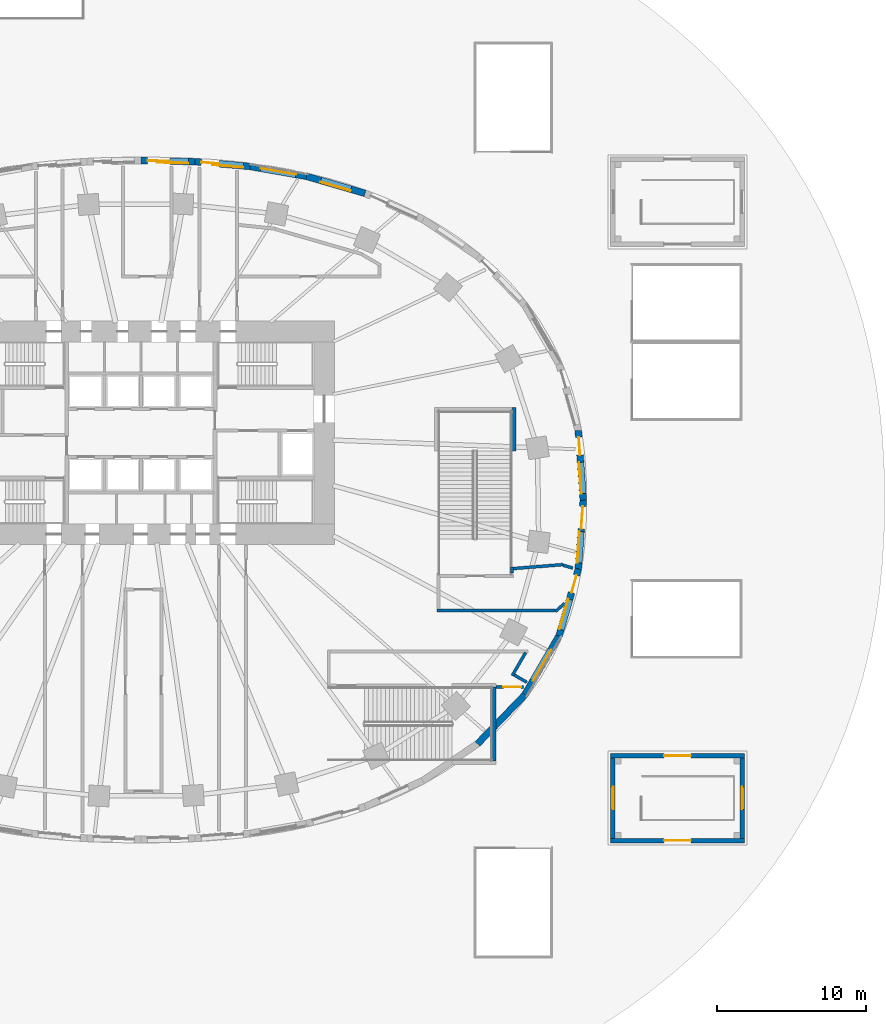
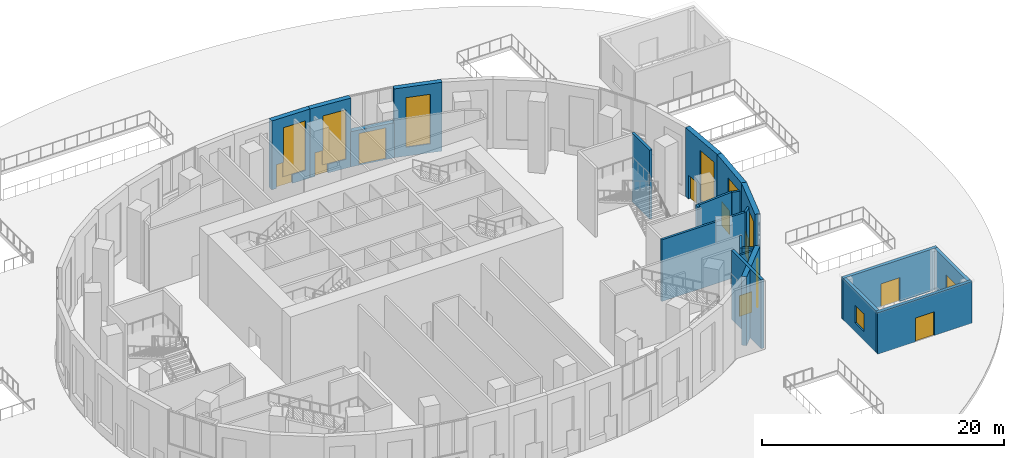
# One storey, part 16 of 27: 23 walls, 10 doors, 8 windows, 18 openings.
"""IFC4 building model written with IfcOpenShell, lengths in metres."""

from ifc_helpers import new_model, si_unit, direction, frame, frame_2d, origin, place, context, subcontext, project, spatial, rectangle, extrude, material, layer, layer_set, type_object, element, fill, save


model = new_model("IFC4")

# Units and contexts
model_context = context("Model", 3, precision=1e-05, world=origin(), true_north=direction((0.0, 1.0)))
body_context = subcontext(model_context, "Body", "Model", "MODEL_VIEW")
ifc_project = project(units=[si_unit("LENGTHUNIT", "METRE"), si_unit("AREAUNIT", "SQUARE_METRE"), si_unit("VOLUMEUNIT", "CUBIC_METRE"), si_unit("PLANEANGLEUNIT", "RADIAN"), si_unit("MASSUNIT", "GRAM", prefix="KILO")], contexts=[model_context])

# Site, building, storey
site_placement = place(None, origin())
site = spatial("IfcSite", under=ifc_project, at=site_placement, CompositionType="ELEMENT")
building_placement = place(site_placement, origin())
building = spatial("IfcBuilding", under=site, at=building_placement, Name="Rubra Terraces Tower", CompositionType="ELEMENT")
storey_placement = place(building_placement, origin())
storey = spatial("IfcBuildingStorey", under=building, at=storey_placement, Name="L00", CompositionType="ELEMENT", Elevation=0.0)

# Wall, openings, door, window
ifc_material_1 = material(Name="Brick masonry red-brown", Category="masonry")
ifc_layer_1 = layer(ifc_material_1, 0.449951171875)
ifc_layer_set_1 = layer_set([ifc_layer_1], Name="Brick masonry red-brown")
wall_type_1 = type_object("IfcWallType", Name="Brick facade wall 450", PredefinedType="SOLIDWALL", material=ifc_layer_set_1)
wall_1_placement = place(storey_placement, frame((29.675537109375, -0.01611328125, 0.0), z_axis=(0.0, 0.0, 1.0), x_axis=(-0.071775601577, 0.997420805387, 0.0)))
wall_1 = element("IfcWall", 1, at=wall_1_placement, inside=storey, type_object=wall_type_1, Name="Facade wall L00 bay 1", PredefinedType="SOLIDWALL", context=body_context, shape_type="SweptSolid", body=[
    extrude(rectangle(XDim=4.694091796875, YDim=0.449951171875, at=frame_2d((2.34716796875, 0.0))), origin(), (0.0, 0.0, 1.0), 6.949951171875),
])
opening_1_placement = place(wall_1_placement, frame((0.449951171875, 0.0, 0.89990234375)))
opening_1 = element("IfcOpeningElement", 2, at=opening_1_placement, cuts=wall_1, Name="Opening W2", PredefinedType="OPENING", context=body_context, shape_type="SweptSolid", body=[
    extrude(rectangle(XDim=2.10009765625, YDim=5.0, at=frame_2d((1.050048828125, 2.5))), frame((0.0, 0.23486328125, 0.0), z_axis=(0.0, -1.0, 0.0), x_axis=(1.0, 0.0, 0.0)), (0.0, 0.0, 1.0), 0.469970703125),
])
opening_2_placement = place(wall_1_placement, frame((3.044189453125, 0.0, 0.0)))
opening_2 = element("IfcOpeningElement", 3, at=opening_2_placement, cuts=wall_1, Name="Opening X2.01", PredefinedType="OPENING", context=body_context, shape_type="SweptSolid", body=[
    extrude(rectangle(XDim=1.199951171875, YDim=2.39990234375, at=frame_2d((0.60009765625, 1.199951171875))), frame((0.0, 0.23486328125, 0.0), z_axis=(0.0, -1.0, 0.0), x_axis=(1.0, 0.0, 0.0)), (0.0, 0.0, 1.0), 0.469970703125),
])
ifc_material_2 = material(Name="Glazed aluminium door leaf", Category="aluminium")
door_type_1 = type_object("IfcDoorType", Name="Exit door 1200 x 2400", OperationType="NOTDEFINED", PredefinedType="DOOR", material=ifc_material_2)
door_1_placement = place(opening_2_placement, frame((1.199951171875, 0.0, 0.0), z_axis=(0.0, 0.0, 1.0), x_axis=(-1.0, 0.0, 0.0)))
door_1 = element("IfcDoor", 4, at=door_1_placement, inside=storey, type_object=door_type_1, Name="Exit door 1", OperationType="SINGLE_SWING_LEFT", OverallHeight=2.39990234375, OverallWidth=1.199951171875, PredefinedType="DOOR", context=body_context, shape_type="SweptSolid", body=[
    extrude(rectangle(XDim=1.199951171875, YDim=2.39990234375, at=frame_2d((0.60009765625, 1.199951171875))), frame((0.0, 0.02490234375, 0.0), z_axis=(0.0, -1.0, 0.0), x_axis=(1.0, 0.0, 0.0)), (0.0, 0.0, 1.0), 0.050048828125),
])
fill(opening_2, door_1)
ifc_material_3 = material(Name="Clear glass in aluminium frame", Category="aluminium")
window_type_1 = type_object("IfcWindowType", Name="Ground storey fixed window 2100 x 5000", PartitioningType="SINGLE_PANEL", PredefinedType="WINDOW", material=ifc_material_3)
window_1_placement = place(opening_1_placement, origin())
window_1 = element("IfcWindow", 5, at=window_1_placement, inside=storey, type_object=window_type_1, Name="Window L00 bay 1", OverallHeight=5.0, OverallWidth=2.10009765625, PartitioningType="SINGLE_PANEL", PredefinedType="WINDOW", context=body_context, shape_type="SweptSolid", body=[
    extrude(rectangle(XDim=2.10009765625, YDim=5.0, at=frame_2d((1.050048828125, 2.5))), frame((0.0, 0.135009765625, 0.0), z_axis=(0.0, -1.0, 0.0), x_axis=(1.0, 0.0, 0.0)), (0.0, 0.0, 1.0), 0.06005859375),
])
fill(opening_1, window_1)

# Wall, opening, window
wall_2_placement = place(storey_placement, frame((15.0380859375, 20.569091796875, 0.0), z_axis=(0.0, 0.0, 1.0), x_axis=(-0.960186274122, 0.279360553743, 0.0)))
wall_2 = element("IfcWall", 6, at=wall_2_placement, inside=storey, type_object=wall_type_1, Name="Facade wall L00 bay 7", PredefinedType="SOLIDWALL", context=body_context, shape_type="SweptSolid", body=[
    extrude(rectangle(XDim=4.0908203125, YDim=0.449951171875, at=frame_2d((2.04541015625, 0.0))), origin(), (0.0, 0.0, 1.0), 6.949951171875),
])
opening_3_placement = place(wall_2_placement, frame((0.99560546875, 0.0, 0.89990234375)))
opening_3 = element("IfcOpeningElement", 7, at=opening_3_placement, cuts=wall_2, Name="Opening W2", PredefinedType="OPENING", context=body_context, shape_type="SweptSolid", body=[
    extrude(rectangle(XDim=2.10009765625, YDim=5.0, at=frame_2d((1.050048828125, 2.5))), frame((0.0, 0.23486328125, 0.0), z_axis=(0.0, -1.0, 0.0), x_axis=(1.0, 0.0, 0.0)), (0.0, 0.0, 1.0), 0.469970703125),
])
window_2_placement = place(opening_3_placement, origin())
window_2 = element("IfcWindow", 8, at=window_2_placement, inside=storey, type_object=window_type_1, Name="Window L00 bay 7", OverallHeight=5.0, OverallWidth=2.10009765625, PartitioningType="SINGLE_PANEL", PredefinedType="WINDOW", context=body_context, shape_type="SweptSolid", body=[
    extrude(rectangle(XDim=2.10009765625, YDim=5.0, at=frame_2d((1.050048828125, 2.5))), frame((0.0, 0.135009765625, 0.0), z_axis=(0.0, -1.0, 0.0), x_axis=(1.0, 0.0, 0.0)), (0.0, 0.0, 1.0), 0.06005859375),
])
fill(opening_3, window_2)

# Wall, openings, door, window
wall_3_placement = place(storey_placement, frame((7.323486328125, 22.375732421875, 0.0), z_axis=(0.0, 0.0, 1.0), x_axis=(-0.996259982326, 0.086406293838, 0.0)))
wall_3 = element("IfcWall", 9, at=wall_3_placement, inside=storey, type_object=wall_type_1, Name="Facade wall L00 bay 9", PredefinedType="SOLIDWALL", context=body_context, shape_type="SweptSolid", body=[
    extrude(rectangle(XDim=3.726806640625, YDim=0.449951171875, at=frame_2d((1.86328125, 0.0))), origin(), (0.0, 0.0, 1.0), 6.949951171875),
])
opening_4_placement = place(wall_3_placement, frame((0.449951171875, 0.0, 0.89990234375)))
opening_4 = element("IfcOpeningElement", 10, at=opening_4_placement, cuts=wall_3, Name="Opening W2", PredefinedType="OPENING", context=body_context, shape_type="SweptSolid", body=[
    extrude(rectangle(XDim=2.10009765625, YDim=5.0, at=frame_2d((1.050048828125, 2.5))), frame((0.0, 0.23486328125, 0.0), z_axis=(0.0, -1.0, 0.0), x_axis=(1.0, 0.0, 0.0)), (0.0, 0.0, 1.0), 0.469970703125),
])
opening_5_placement = place(wall_3_placement, frame((2.076904296875, 0.0, 0.0)))
opening_5 = element("IfcOpeningElement", 11, at=opening_5_placement, cuts=wall_3, Name="Opening X2.05", PredefinedType="OPENING", context=body_context, shape_type="SweptSolid", body=[
    extrude(rectangle(XDim=1.199951171875, YDim=2.39990234375, at=frame_2d((0.60009765625, 1.199951171875))), frame((0.0, 0.23486328125, 0.0), z_axis=(0.0, -1.0, 0.0), x_axis=(1.0, 0.0, 0.0)), (0.0, 0.0, 1.0), 0.469970703125),
])
door_2_placement = place(opening_5_placement, frame((1.199951171875, 0.0, 0.0), z_axis=(0.0, 0.0, 1.0), x_axis=(-1.0, 0.0, 0.0)))
door_2 = element("IfcDoor", 12, at=door_2_placement, inside=storey, type_object=door_type_1, Name="Exit door 5", OperationType="SINGLE_SWING_RIGHT", OverallHeight=2.39990234375, OverallWidth=1.199951171875, PredefinedType="DOOR", context=body_context, shape_type="SweptSolid", body=[
    extrude(rectangle(XDim=1.199951171875, YDim=2.39990234375, at=frame_2d((0.60009765625, 1.199951171875))), frame((0.0, 0.02490234375, 0.0), z_axis=(0.0, -1.0, 0.0), x_axis=(1.0, 0.0, 0.0)), (0.0, 0.0, 1.0), 0.050048828125),
])
fill(opening_5, door_2)
window_3_placement = place(opening_4_placement, origin())
window_3 = element("IfcWindow", 13, at=window_3_placement, inside=storey, type_object=window_type_1, Name="Window L00 bay 9", OverallHeight=5.0, OverallWidth=2.10009765625, PartitioningType="SINGLE_PANEL", PredefinedType="WINDOW", context=body_context, shape_type="SweptSolid", body=[
    extrude(rectangle(XDim=2.10009765625, YDim=5.0, at=frame_2d((1.050048828125, 2.5))), frame((0.0, 0.135009765625, 0.0), z_axis=(0.0, -1.0, 0.0), x_axis=(1.0, 0.0, 0.0)), (0.0, 0.0, 1.0), 0.06005859375),
])
fill(opening_4, window_3)

# Wall, openings, window, door
wall_4_placement = place(storey_placement, frame((3.625244140625, 22.697021484375, 0.0), z_axis=(0.0, 0.0, 1.0), x_axis=(-0.999769941673, 0.0214490962, 0.0)))
wall_4 = element("IfcWall", 14, at=wall_4_placement, inside=storey, type_object=wall_type_1, Name="Facade wall L00 bay 10", PredefinedType="SOLIDWALL", context=body_context, shape_type="SweptSolid", body=[
    extrude(rectangle(XDim=3.630859375, YDim=0.449951171875, at=frame_2d((1.8154296875, 0.0))), origin(), (0.0, 0.0, 1.0), 6.949951171875),
])
opening_6_placement = place(wall_4_placement, frame((0.449951171875, 0.0, 0.89990234375)))
opening_6 = element("IfcOpeningElement", 15, at=opening_6_placement, cuts=wall_4, Name="Opening W2", PredefinedType="OPENING", context=body_context, shape_type="SweptSolid", body=[
    extrude(rectangle(XDim=2.10009765625, YDim=5.0, at=frame_2d((1.050048828125, 2.5))), frame((0.0, 0.23486328125, 0.0), z_axis=(0.0, -1.0, 0.0), x_axis=(1.0, 0.0, 0.0)), (0.0, 0.0, 1.0), 0.469970703125),
])
opening_7_placement = place(wall_4_placement, frame((1.680908203125, 0.0, 0.0)))
opening_7 = element("IfcOpeningElement", 16, at=opening_7_placement, cuts=wall_4, Name="Opening X3.01", PredefinedType="OPENING", context=body_context, shape_type="SweptSolid", body=[
    extrude(rectangle(XDim=1.5, YDim=2.39990234375, at=frame_2d((0.75, 1.199951171875))), frame((0.0, 0.23486328125, 0.0), z_axis=(0.0, -1.0, 0.0), x_axis=(1.0, 0.0, 0.0)), (0.0, 0.0, 1.0), 0.469970703125),
])
window_4_placement = place(opening_6_placement, origin())
window_4 = element("IfcWindow", 17, at=window_4_placement, inside=storey, type_object=window_type_1, Name="Window L00 bay 10", OverallHeight=5.0, OverallWidth=2.10009765625, PartitioningType="SINGLE_PANEL", PredefinedType="WINDOW", context=body_context, shape_type="SweptSolid", body=[
    extrude(rectangle(XDim=2.10009765625, YDim=5.0, at=frame_2d((1.050048828125, 2.5))), frame((0.0, 0.135009765625, 0.0), z_axis=(0.0, -1.0, 0.0), x_axis=(1.0, 0.0, 0.0)), (0.0, 0.0, 1.0), 0.06005859375),
])
fill(opening_6, window_4)
door_type_2 = type_object("IfcDoorType", Name="Service door 1500 x 2400", OperationType="NOTDEFINED", PredefinedType="DOOR", material=ifc_material_2)
door_3_placement = place(opening_7_placement, frame((1.5, 0.0, 0.0), z_axis=(0.0, 0.0, 1.0), x_axis=(-1.0, 0.0, 0.0)))
door_3 = element("IfcDoor", 18, at=door_3_placement, inside=storey, type_object=door_type_2, Name="Service door 1", OperationType="SINGLE_SWING_RIGHT", OverallHeight=2.39990234375, OverallWidth=1.5, PredefinedType="DOOR", context=body_context, shape_type="SweptSolid", body=[
    extrude(rectangle(XDim=1.5, YDim=2.39990234375, at=frame_2d((0.75, 1.199951171875))), frame((0.0, 0.02490234375, 0.0), z_axis=(0.0, -1.0, 0.0), x_axis=(1.0, 0.0, 0.0)), (0.0, 0.0, 1.0), 0.050048828125),
])
fill(opening_7, door_3)

# Wall
wall_5_placement = place(storey_placement, frame((22.576904296875, -16.36474609375, 0.0), z_axis=(0.0, 0.0, 1.0), x_axis=(0.694191591241, 0.719790271294, 0.0)))
element("IfcWall", 19, at=wall_5_placement, inside=storey, type_object=wall_type_1, Name="Facade wall L00 bay 37", PredefinedType="SOLIDWALL", context=body_context, shape_type="SweptSolid", body=[
    extrude(rectangle(XDim=4.596923828125, YDim=0.449951171875, at=frame_2d((2.29833984375, 0.0))), origin(), (0.0, 0.0, 1.0), 6.949951171875),
])

# Wall, openings, door, window
wall_6_placement = place(storey_placement, frame((28.0517578125, -9.122802734375, 0.0), z_axis=(0.0, 0.0, 1.0), x_axis=(0.27637239746, 0.961050621935, 0.0)))
wall_6 = element("IfcWall", 20, at=wall_6_placement, inside=storey, type_object=wall_type_1, Name="Facade wall L00 bay 39", PredefinedType="SOLIDWALL", context=body_context, shape_type="SweptSolid", body=[
    extrude(rectangle(XDim=4.685302734375, YDim=0.449951171875, at=frame_2d((2.3427734375, 0.0))), origin(), (0.0, 0.0, 1.0), 6.949951171875),
])
opening_8_placement = place(wall_6_placement, frame((0.449951171875, 0.0, 0.89990234375)))
opening_8 = element("IfcOpeningElement", 21, at=opening_8_placement, cuts=wall_6, Name="Opening W2", PredefinedType="OPENING", context=body_context, shape_type="SweptSolid", body=[
    extrude(rectangle(XDim=2.10009765625, YDim=5.0, at=frame_2d((1.050048828125, 2.5))), frame((0.0, 0.23486328125, 0.0), z_axis=(0.0, -1.0, 0.0), x_axis=(1.0, 0.0, 0.0)), (0.0, 0.0, 1.0), 0.469970703125),
])
opening_9_placement = place(wall_6_placement, frame((3.035400390625, 0.0, 0.0)))
opening_9 = element("IfcOpeningElement", 22, at=opening_9_placement, cuts=wall_6, Name="Opening X2.19", PredefinedType="OPENING", context=body_context, shape_type="SweptSolid", body=[
    extrude(rectangle(XDim=1.199951171875, YDim=2.39990234375, at=frame_2d((0.60009765625, 1.199951171875))), frame((0.0, 0.23486328125, 0.0), z_axis=(0.0, -1.0, 0.0), x_axis=(1.0, 0.0, 0.0)), (0.0, 0.0, 1.0), 0.469970703125),
])
door_4_placement = place(opening_9_placement, frame((1.199951171875, 0.0, 0.0), z_axis=(0.0, 0.0, 1.0), x_axis=(-1.0, 0.0, 0.0)))
door_4 = element("IfcDoor", 23, at=door_4_placement, inside=storey, type_object=door_type_1, Name="Exit door 19", OperationType="SINGLE_SWING_RIGHT", OverallHeight=2.39990234375, OverallWidth=1.199951171875, PredefinedType="DOOR", context=body_context, shape_type="SweptSolid", body=[
    extrude(rectangle(XDim=1.199951171875, YDim=2.39990234375, at=frame_2d((0.60009765625, 1.199951171875))), frame((0.0, 0.02490234375, 0.0), z_axis=(0.0, -1.0, 0.0), x_axis=(1.0, 0.0, 0.0)), (0.0, 0.0, 1.0), 0.050048828125),
])
fill(opening_9, door_4)
window_5_placement = place(opening_8_placement, origin())
window_5 = element("IfcWindow", 24, at=window_5_placement, inside=storey, type_object=window_type_1, Name="Window L00 bay 39", OverallHeight=5.0, OverallWidth=2.10009765625, PartitioningType="SINGLE_PANEL", PredefinedType="WINDOW", context=body_context, shape_type="SweptSolid", body=[
    extrude(rectangle(XDim=2.10009765625, YDim=5.0, at=frame_2d((1.050048828125, 2.5))), frame((0.0, 0.135009765625, 0.0), z_axis=(0.0, -1.0, 0.0), x_axis=(1.0, 0.0, 0.0)), (0.0, 0.0, 1.0), 0.06005859375),
])
fill(opening_8, window_5)

# Wall, openings, window, door
wall_7_placement = place(storey_placement, frame((29.338623046875, -4.665771484375, 0.0), z_axis=(0.0, 0.0, 1.0), x_axis=(0.071775601577, 0.997420805387, 0.0)))
wall_7 = element("IfcWall", 25, at=wall_7_placement, inside=storey, type_object=wall_type_1, Name="Facade wall L00 bay 40", PredefinedType="SOLIDWALL", context=body_context, shape_type="SweptSolid", body=[
    extrude(rectangle(XDim=4.694091796875, YDim=0.449951171875, at=frame_2d((2.34716796875, 0.0))), origin(), (0.0, 0.0, 1.0), 6.949951171875),
])
opening_10_placement = place(wall_7_placement, frame((0.449951171875, 0.0, 0.89990234375)))
opening_10 = element("IfcOpeningElement", 26, at=opening_10_placement, cuts=wall_7, Name="Opening W2", PredefinedType="OPENING", context=body_context, shape_type="SweptSolid", body=[
    extrude(rectangle(XDim=2.10009765625, YDim=5.0, at=frame_2d((1.050048828125, 2.5))), frame((0.0, 0.23486328125, 0.0), z_axis=(0.0, -1.0, 0.0), x_axis=(1.0, 0.0, 0.0)), (0.0, 0.0, 1.0), 0.469970703125),
])
opening_11_placement = place(wall_7_placement, frame((2.744140625, 0.0, 0.0)))
opening_11 = element("IfcOpeningElement", 27, at=opening_11_placement, cuts=wall_7, Name="Opening X3.04", PredefinedType="OPENING", context=body_context, shape_type="SweptSolid", body=[
    extrude(rectangle(XDim=1.5, YDim=2.39990234375, at=frame_2d((0.75, 1.199951171875))), frame((0.0, 0.23486328125, 0.0), z_axis=(0.0, -1.0, 0.0), x_axis=(1.0, 0.0, 0.0)), (0.0, 0.0, 1.0), 0.469970703125),
])
window_6_placement = place(opening_10_placement, origin())
window_6 = element("IfcWindow", 28, at=window_6_placement, inside=storey, type_object=window_type_1, Name="Window L00 bay 40", OverallHeight=5.0, OverallWidth=2.10009765625, PartitioningType="SINGLE_PANEL", PredefinedType="WINDOW", context=body_context, shape_type="SweptSolid", body=[
    extrude(rectangle(XDim=2.10009765625, YDim=5.0, at=frame_2d((1.050048828125, 2.5))), frame((0.0, 0.135009765625, 0.0), z_axis=(0.0, -1.0, 0.0), x_axis=(1.0, 0.0, 0.0)), (0.0, 0.0, 1.0), 0.06005859375),
])
fill(opening_10, window_6)
door_5_placement = place(opening_11_placement, frame((1.5, 0.0, 0.0), z_axis=(0.0, 0.0, 1.0), x_axis=(-1.0, 0.0, 0.0)))
door_5 = element("IfcDoor", 29, at=door_5_placement, inside=storey, type_object=door_type_2, Name="Service door 4", OperationType="SINGLE_SWING_RIGHT", OverallHeight=2.39990234375, OverallWidth=1.5, PredefinedType="DOOR", context=body_context, shape_type="SweptSolid", body=[
    extrude(rectangle(XDim=1.5, YDim=2.39990234375, at=frame_2d((0.75, 1.199951171875))), frame((0.0, 0.02490234375, 0.0), z_axis=(0.0, -1.0, 0.0), x_axis=(1.0, 0.0, 0.0)), (0.0, 0.0, 1.0), 0.050048828125),
])
fill(opening_11, door_5)

# Wall, opening, door
ifc_layer_2 = layer(ifc_material_1, 0.449951171875)
ifc_layer_set_2 = layer_set([ifc_layer_2], Name="Brick masonry red-brown")
wall_type_2 = type_object("IfcWallType", Name="Brick wall under entrance screen 450", PredefinedType="SOLIDWALL", material=ifc_layer_set_2)
wall_8_placement = place(storey_placement, frame((11.134033203125, 21.706298828125, 0.0), z_axis=(0.0, 0.0, 1.0), x_axis=(-0.984947461591, 0.172853978566, 0.0)))
wall_8 = element("IfcWall", 30, at=wall_8_placement, inside=storey, type_object=wall_type_2, Name="Facade wall L00 bay 8", PredefinedType="SOLIDWALL", context=body_context, shape_type="SweptSolid", body=[
    extrude(rectangle(XDim=3.888427734375, YDim=0.449951171875, at=frame_2d((1.9443359375, 0.0))), origin(), (0.0, 0.0, 1.0), 3.550048828125),
])
opening_12_placement = place(wall_8_placement, frame((0.744384765625, 0.0, 0.0)))
opening_12 = element("IfcOpeningElement", 31, at=opening_12_placement, cuts=wall_8, Name="Opening X1.02", PredefinedType="OPENING", context=body_context, shape_type="SweptSolid", body=[
    extrude(rectangle(XDim=2.39990234375, YDim=3.199951171875, at=frame_2d((1.199951171875, 1.60009765625))), frame((0.0, 0.23486328125, 0.0), z_axis=(0.0, -1.0, 0.0), x_axis=(1.0, 0.0, 0.0)), (0.0, 0.0, 1.0), 0.469970703125),
])
door_type_3 = type_object("IfcDoorType", Name="Entrance double door 2400 x 3200", OperationType="DOUBLE_DOOR_DOUBLE_SWING", PredefinedType="DOOR", material=ifc_material_2)
door_6_placement = place(opening_12_placement, origin())
door_6 = element("IfcDoor", 32, at=door_6_placement, inside=storey, type_object=door_type_3, Name="Entrance double door 2", OperationType="DOUBLE_DOOR_DOUBLE_SWING", OverallHeight=3.199951171875, OverallWidth=2.39990234375, PredefinedType="DOOR", context=body_context, shape_type="SweptSolid", body=[
    extrude(rectangle(XDim=2.39990234375, YDim=3.199951171875, at=frame_2d((1.199951171875, 1.60009765625))), frame((0.0, 0.02490234375, 0.0), z_axis=(0.0, -1.0, 0.0), x_axis=(1.0, 0.0, 0.0)), (0.0, 0.0, 1.0), 0.050048828125),
])
fill(opening_12, door_6)

wall_9_placement = place(storey_placement, frame((25.7353515625, -13.09912109375, 0.0), z_axis=(0.0, 0.0, 1.0), x_axis=(0.502106426501, 0.864805837438, 0.0)))
wall_9 = element("IfcWall", 33, at=wall_9_placement, inside=storey, type_object=wall_type_2, Name="Facade wall L00 bay 38", PredefinedType="SOLIDWALL", context=body_context, shape_type="SweptSolid", body=[
    extrude(rectangle(XDim=4.65673828125, YDim=0.449951171875, at=frame_2d((2.328369140625, 0.0))), origin(), (0.0, 0.0, 1.0), 3.550048828125),
])
opening_13_placement = place(wall_9_placement, frame((1.128173828125, 0.0, 0.0)))
opening_13 = element("IfcOpeningElement", 34, at=opening_13_placement, cuts=wall_9, Name="Opening X1.08", PredefinedType="OPENING", context=body_context, shape_type="SweptSolid", body=[
    extrude(rectangle(XDim=2.39990234375, YDim=3.199951171875, at=frame_2d((1.199951171875, 1.60009765625))), frame((0.0, 0.23486328125, 0.0), z_axis=(0.0, -1.0, 0.0), x_axis=(1.0, 0.0, 0.0)), (0.0, 0.0, 1.0), 0.469970703125),
])
door_7_placement = place(opening_13_placement, origin())
door_7 = element("IfcDoor", 35, at=door_7_placement, inside=storey, type_object=door_type_3, Name="Entrance double door 8", OperationType="DOUBLE_DOOR_DOUBLE_SWING", OverallHeight=3.199951171875, OverallWidth=2.39990234375, PredefinedType="DOOR", context=body_context, shape_type="SweptSolid", body=[
    extrude(rectangle(XDim=2.39990234375, YDim=3.199951171875, at=frame_2d((1.199951171875, 1.60009765625))), frame((0.0, 0.02490234375, 0.0), z_axis=(0.0, -1.0, 0.0), x_axis=(1.0, 0.0, 0.0)), (0.0, 0.0, 1.0), 0.050048828125),
])
fill(opening_13, door_7)

# Walls
ifc_material_4 = material(Name="Blockwork", Category="masonry")
ifc_layer_3 = layer(ifc_material_4, 0.199951171875)
ifc_layer_set_3 = layer_set([ifc_layer_3], Name="Blockwork")
wall_type_3 = type_object("IfcWallType", Name="Corridor partition 200 blockwork", PredefinedType="PARTITIONING", material=ifc_layer_set_3)
wall_10_placement = place(storey_placement, frame((28.4189453125, -6.93896484375, 0.0), z_axis=(0.0, 0.0, 1.0), x_axis=(-0.747968781753, -0.663733908674, 0.0)))
element("IfcWall", 36, at=wall_10_placement, inside=storey, type_object=wall_type_3, Name="Partition wall", PredefinedType="PARTITIONING", context=body_context, shape_type="SweptSolid", body=[
    extrude(rectangle(XDim=0.794189453125, YDim=0.199951171875, at=frame_2d((0.39697265625, 0.0))), origin(), (0.0, 0.0, 1.0), 6.22998046875),
])
wall_11_placement = place(storey_placement, frame((27.800048828125, -7.39990234375, 0.0), z_axis=(0.0, 0.0, 1.0), x_axis=(-1.0, 0.0, 0.0)))
element("IfcWall", 37, at=wall_11_placement, inside=storey, type_object=wall_type_3, Name="Partition wall", PredefinedType="PARTITIONING", context=body_context, shape_type="SweptSolid", body=[
    extrude(rectangle(XDim=7.949951171875, YDim=0.199951171875, at=frame_2d((3.97509765625, 0.0))), origin(), (0.0, 0.0, 1.0), 6.22998046875),
])
wall_12_placement = place(storey_placement, frame((24.89990234375, -4.89990234375, 0.0), z_axis=(0.0, 0.0, 1.0), x_axis=(0.0, 1.0, 0.0)))
element("IfcWall", 38, at=wall_12_placement, inside=storey, type_object=wall_type_3, Name="Partition wall", PredefinedType="PARTITIONING", context=body_context, shape_type="SweptSolid", body=[
    extrude(rectangle(XDim=0.393798828125, YDim=0.199951171875, at=frame_2d((0.19677734375, 0.0))), origin(), (0.0, 0.0, 1.0), 6.22998046875),
])
wall_13_placement = place(storey_placement, frame((25.0, -4.597900390625, 0.0), z_axis=(0.0, 0.0, 1.0), x_axis=(0.996848217345, 0.079332411888, 0.0)))
element("IfcWall", 39, at=wall_13_placement, inside=storey, type_object=wall_type_3, Name="Partition wall", PredefinedType="PARTITIONING", context=body_context, shape_type="SweptSolid", body=[
    extrude(rectangle(XDim=3.314453125, YDim=0.199951171875, at=frame_2d((1.6572265625, 0.0))), origin(), (0.0, 0.0, 1.0), 6.22998046875),
])
wall_14_placement = place(storey_placement, frame((28.300048828125, -4.37109375, 0.0), z_axis=(0.0, 0.0, 1.0), x_axis=(0.961286670839, -0.275550243092, 0.0)))
element("IfcWall", 40, at=wall_14_placement, inside=storey, type_object=wall_type_3, Name="Partition wall", PredefinedType="PARTITIONING", context=body_context, shape_type="SweptSolid", body=[
    extrude(rectangle(XDim=0.699951171875, YDim=0.199951171875, at=frame_2d((0.35009765625, 0.0))), origin(), (0.0, 0.0, 1.0), 6.22998046875),
])

# Wall, opening, door
wall_15_placement = place(storey_placement, frame((25.659912109375, -12.550048828125, 0.0), z_axis=(0.0, 0.0, 1.0), x_axis=(-1.0, 0.0, 0.0)))
wall_15 = element("IfcWall", 41, at=wall_15_placement, inside=storey, type_object=wall_type_3, Name="Partition wall", PredefinedType="PARTITIONING", context=body_context, shape_type="SweptSolid", body=[
    extrude(rectangle(XDim=1.829833984375, YDim=0.199951171875, at=frame_2d((0.9150390625, 0.0))), origin(), (0.0, 0.0, 1.0), 6.22998046875),
])
opening_14_placement = place(wall_15_placement, frame((0.153076171875, 0.0, 0.0)))
opening_14 = element("IfcOpeningElement", 42, at=opening_14_placement, cuts=wall_15, Name="Opening DB7", PredefinedType="OPENING", context=body_context, shape_type="SweptSolid", body=[
    extrude(rectangle(XDim=1.199951171875, YDim=2.10009765625, at=frame_2d((0.60009765625, 1.050048828125))), frame((0.0, 0.10986328125, 0.0), z_axis=(0.0, -1.0, 0.0), x_axis=(1.0, 0.0, 0.0)), (0.0, 0.0, 1.0), 0.219970703125),
])
ifc_material_5 = material(Name="Painted timber", Category="wood")
door_type_4 = type_object("IfcDoorType", Name="Door 1200x2100 single", OperationType="NOTDEFINED", PredefinedType="DOOR", material=ifc_material_5)
door_8_placement = place(opening_14_placement, origin())
door_8 = element("IfcDoor", 43, at=door_8_placement, inside=storey, type_object=door_type_4, Name="Door L00-15", OperationType="SINGLE_SWING_LEFT", OverallHeight=2.10009765625, OverallWidth=1.199951171875, PredefinedType="DOOR", context=body_context, shape_type="SweptSolid", body=[
    extrude(rectangle(XDim=1.199951171875, YDim=2.10009765625, at=frame_2d((0.60009765625, 1.050048828125))), frame((0.0, 0.02490234375, 0.0), z_axis=(0.0, -1.0, 0.0), x_axis=(1.0, 0.0, 0.0)), (0.0, 0.0, 1.0), 0.050048828125),
])
fill(opening_14, door_8)

# Walls
wall_16_placement = place(storey_placement, frame((25.806884765625, -10.236083984375, 0.0), z_axis=(0.0, 0.0, 1.0), x_axis=(-0.50189432983, -0.864928946032, 0.0)))
element("IfcWall", 44, at=wall_16_placement, inside=storey, type_object=wall_type_3, Name="Partition wall", PredefinedType="PARTITIONING", context=body_context, shape_type="SweptSolid", body=[
    extrude(rectangle(XDim=1.78271484375, YDim=0.199951171875, at=frame_2d((0.891357421875, 0.0))), origin(), (0.0, 0.0, 1.0), 6.22998046875),
])
wall_17_placement = place(storey_placement, frame((25.048095703125, -11.741943359375, 0.0), z_axis=(0.0, 0.0, 1.0), x_axis=(0.864728870448, -0.502238967638, 0.0)))
element("IfcWall", 45, at=wall_17_placement, inside=storey, type_object=wall_type_3, Name="Partition wall", PredefinedType="PARTITIONING", context=body_context, shape_type="SweptSolid", body=[
    extrude(rectangle(XDim=0.9677734375, YDim=0.199951171875, at=frame_2d((0.48388671875, 0.0))), origin(), (0.0, 0.0, 1.0), 6.22998046875),
])

# Wall, opening, door
ifc_layer_4 = layer(ifc_material_1, 0.300048828125)
ifc_layer_set_4 = layer_set([ifc_layer_4], Name="Brick masonry red-brown")
wall_type_4 = type_object("IfcWallType", Name="Pavilion brick wall 300", PredefinedType="SOLIDWALL", material=ifc_layer_set_4)
wall_18_placement = place(storey_placement, frame((31.5, -22.85009765625, 0.0), z_axis=(0.0, 0.0, 1.0), x_axis=(1.0, 0.0, 0.0)))
wall_18 = element("IfcWall", 46, at=wall_18_placement, inside=storey, type_object=wall_type_4, Name="Pavilion SP4 wall S", PredefinedType="SOLIDWALL", context=body_context, shape_type="SweptSolid", body=[
    extrude(rectangle(XDim=9.0, YDim=0.300048828125, at=frame_2d((4.5, 0.0))), origin(), (0.0, 0.0, 1.0), 4.199951171875),
])
opening_15_placement = place(wall_18_placement, frame((3.60009765625, 0.0, 0.0)))
opening_15 = element("IfcOpeningElement", 47, at=opening_15_placement, cuts=wall_18, Name="Opening P4.S", PredefinedType="OPENING", context=body_context, shape_type="SweptSolid", body=[
    extrude(rectangle(XDim=1.800048828125, YDim=2.39990234375, at=frame_2d((0.89990234375, 1.199951171875))), frame((0.0, 0.159912109375, 0.0), z_axis=(0.0, -1.0, 0.0), x_axis=(1.0, 0.0, 0.0)), (0.0, 0.0, 1.0), 0.320068359375),
])
door_type_5 = type_object("IfcDoorType", Name="Pavilion double door 1800 x 2400", OperationType="DOUBLE_DOOR_DOUBLE_SWING", PredefinedType="DOOR", material=ifc_material_2)
door_9_placement = place(opening_15_placement, origin())
door_9 = element("IfcDoor", 48, at=door_9_placement, inside=storey, type_object=door_type_5, Name="Station entrance door SP4S", OperationType="DOUBLE_DOOR_DOUBLE_SWING", OverallHeight=2.39990234375, OverallWidth=1.800048828125, PredefinedType="DOOR", context=body_context, shape_type="SweptSolid", body=[
    extrude(rectangle(XDim=1.800048828125, YDim=2.39990234375, at=frame_2d((0.89990234375, 1.199951171875))), frame((0.0, 0.02490234375, 0.0), z_axis=(0.0, -1.0, 0.0), x_axis=(1.0, 0.0, 0.0)), (0.0, 0.0, 1.0), 0.050048828125),
])
fill(opening_15, door_9)

# Wall, opening, window
wall_19_placement = place(storey_placement, frame((40.35009765625, -22.699951171875, 0.0), z_axis=(0.0, 0.0, 1.0), x_axis=(0.0, 1.0, 0.0)))
wall_19 = element("IfcWall", 49, at=wall_19_placement, inside=storey, type_object=wall_type_4, Name="Pavilion SP4 wall E", PredefinedType="SOLIDWALL", context=body_context, shape_type="SweptSolid", body=[
    extrude(rectangle(XDim=5.39990234375, YDim=0.300048828125, at=frame_2d((2.699951171875, 0.0))), origin(), (0.0, 0.0, 1.0), 4.199951171875),
])
opening_16_placement = place(wall_19_placement, frame((1.949951171875, 0.0, 0.89990234375)))
opening_16 = element("IfcOpeningElement", 50, at=opening_16_placement, cuts=wall_19, Name="Opening W5", PredefinedType="OPENING", context=body_context, shape_type="SweptSolid", body=[
    extrude(rectangle(XDim=1.5, YDim=1.800048828125, at=frame_2d((0.75, 0.89990234375))), frame((0.0, 0.159912109375, 0.0), z_axis=(0.0, -1.0, 0.0), x_axis=(1.0, 0.0, 0.0)), (0.0, 0.0, 1.0), 0.320068359375),
])
window_type_2 = type_object("IfcWindowType", Name="Pavilion window 1500 x 1800", PartitioningType="SINGLE_PANEL", PredefinedType="WINDOW", material=ifc_material_3)
window_7_placement = place(opening_16_placement, origin())
window_7 = element("IfcWindow", 51, at=window_7_placement, inside=storey, type_object=window_type_2, Name="Pavilion window SP4E", OverallHeight=1.800048828125, OverallWidth=1.5, PartitioningType="SINGLE_PANEL", PredefinedType="WINDOW", context=body_context, shape_type="SweptSolid", body=[
    extrude(rectangle(XDim=1.5, YDim=1.800048828125, at=frame_2d((0.75, 0.89990234375))), frame((0.0, 0.06005859375, 0.0), z_axis=(0.0, -1.0, 0.0), x_axis=(1.0, 0.0, 0.0)), (0.0, 0.0, 1.0), 0.06005859375),
])
fill(opening_16, window_7)

# Wall, opening, door
wall_20_placement = place(storey_placement, frame((40.5, -17.14990234375, 0.0), z_axis=(0.0, 0.0, 1.0), x_axis=(-1.0, 0.0, 0.0)))
wall_20 = element("IfcWall", 52, at=wall_20_placement, inside=storey, type_object=wall_type_4, Name="Pavilion SP4 wall N", PredefinedType="SOLIDWALL", context=body_context, shape_type="SweptSolid", body=[
    extrude(rectangle(XDim=9.0, YDim=0.300048828125, at=frame_2d((4.5, 0.0))), origin(), (0.0, 0.0, 1.0), 4.199951171875),
])
opening_17_placement = place(wall_20_placement, frame((3.60009765625, 0.0, 0.0)))
opening_17 = element("IfcOpeningElement", 53, at=opening_17_placement, cuts=wall_20, Name="Opening P4.N", PredefinedType="OPENING", context=body_context, shape_type="SweptSolid", body=[
    extrude(rectangle(XDim=1.800048828125, YDim=2.39990234375, at=frame_2d((0.89990234375, 1.199951171875))), frame((0.0, 0.159912109375, 0.0), z_axis=(0.0, -1.0, 0.0), x_axis=(1.0, 0.0, 0.0)), (0.0, 0.0, 1.0), 0.320068359375),
])
door_10_placement = place(opening_17_placement, origin())
door_10 = element("IfcDoor", 54, at=door_10_placement, inside=storey, type_object=door_type_5, Name="Station entrance door SP4N", OperationType="DOUBLE_DOOR_DOUBLE_SWING", OverallHeight=2.39990234375, OverallWidth=1.800048828125, PredefinedType="DOOR", context=body_context, shape_type="SweptSolid", body=[
    extrude(rectangle(XDim=1.800048828125, YDim=2.39990234375, at=frame_2d((0.89990234375, 1.199951171875))), frame((0.0, 0.02490234375, 0.0), z_axis=(0.0, -1.0, 0.0), x_axis=(1.0, 0.0, 0.0)), (0.0, 0.0, 1.0), 0.050048828125),
])
fill(opening_17, door_10)

# Wall, opening, window
wall_21_placement = place(storey_placement, frame((31.64990234375, -17.300048828125, 0.0), z_axis=(0.0, 0.0, 1.0), x_axis=(0.0, -1.0, 0.0)))
wall_21 = element("IfcWall", 55, at=wall_21_placement, inside=storey, type_object=wall_type_4, Name="Pavilion SP4 wall W", PredefinedType="SOLIDWALL", context=body_context, shape_type="SweptSolid", body=[
    extrude(rectangle(XDim=5.39990234375, YDim=0.300048828125, at=frame_2d((2.699951171875, 0.0))), origin(), (0.0, 0.0, 1.0), 4.199951171875),
])
opening_18_placement = place(wall_21_placement, frame((1.949951171875, 0.0, 0.89990234375)))
opening_18 = element("IfcOpeningElement", 56, at=opening_18_placement, cuts=wall_21, Name="Opening W5", PredefinedType="OPENING", context=body_context, shape_type="SweptSolid", body=[
    extrude(rectangle(XDim=1.5, YDim=1.800048828125, at=frame_2d((0.75, 0.89990234375))), frame((0.0, 0.159912109375, 0.0), z_axis=(0.0, -1.0, 0.0), x_axis=(1.0, 0.0, 0.0)), (0.0, 0.0, 1.0), 0.320068359375),
])
window_8_placement = place(opening_18_placement, origin())
window_8 = element("IfcWindow", 57, at=window_8_placement, inside=storey, type_object=window_type_2, Name="Pavilion window SP4W", OverallHeight=1.800048828125, OverallWidth=1.5, PartitioningType="SINGLE_PANEL", PredefinedType="WINDOW", context=body_context, shape_type="SweptSolid", body=[
    extrude(rectangle(XDim=1.5, YDim=1.800048828125, at=frame_2d((0.75, 0.89990234375))), frame((0.0, 0.06005859375, 0.0), z_axis=(0.0, -1.0, 0.0), x_axis=(1.0, 0.0, 0.0)), (0.0, 0.0, 1.0), 0.06005859375),
])
fill(opening_18, window_8)

# Walls
ifc_material_6 = material(Name="Concrete C40/50", Category="concrete")
ifc_layer_5 = layer(ifc_material_6, 0.25)
ifc_layer_set_5 = layer_set([ifc_layer_5], Name="Concrete C40/50")
wall_type_5 = type_object("IfcWallType", Name="Stair end wall 250 concrete", PredefinedType="SOLIDWALL", material=ifc_layer_set_5)
wall_22_placement = place(storey_placement, frame((25.02490234375, 3.280029296875, 0.0), z_axis=(0.0, 0.0, 1.0), x_axis=(0.0, 1.0, 0.0)))
element("IfcWall", 58, at=wall_22_placement, inside=storey, type_object=wall_type_5, Name="Stair end wall", PredefinedType="SOLIDWALL", context=body_context, shape_type="SweptSolid", body=[
    extrude(rectangle(XDim=2.929931640625, YDim=0.25, at=frame_2d((1.46484375, 0.0))), origin(), (0.0, 0.0, 1.0), 6.949951171875),
])
wall_23_placement = place(storey_placement, frame((23.68505859375, -17.5, 0.0), z_axis=(0.0, 0.0, 1.0), x_axis=(0.0, 1.0, 0.0)))
element("IfcWall", 59, at=wall_23_placement, inside=storey, type_object=wall_type_5, Name="Stair end wall", PredefinedType="SOLIDWALL", context=body_context, shape_type="SweptSolid", body=[
    extrude(rectangle(XDim=4.949951171875, YDim=0.25, at=frame_2d((2.47509765625, 0.0))), origin(), (0.0, 0.0, 1.0), 6.949951171875),
])

save(model, "model.ifc")
